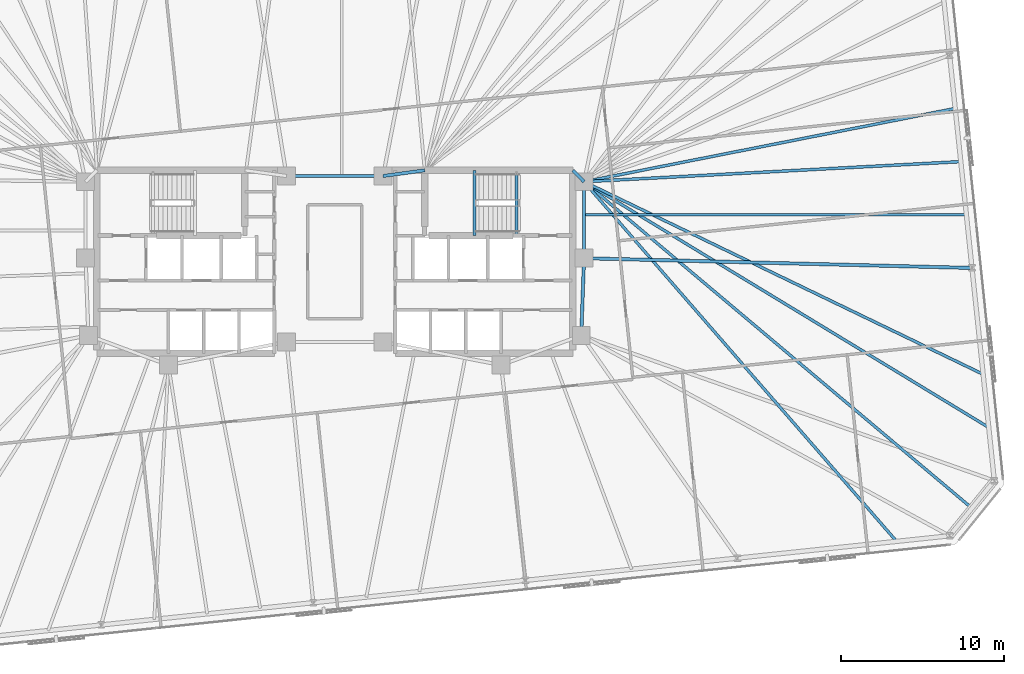
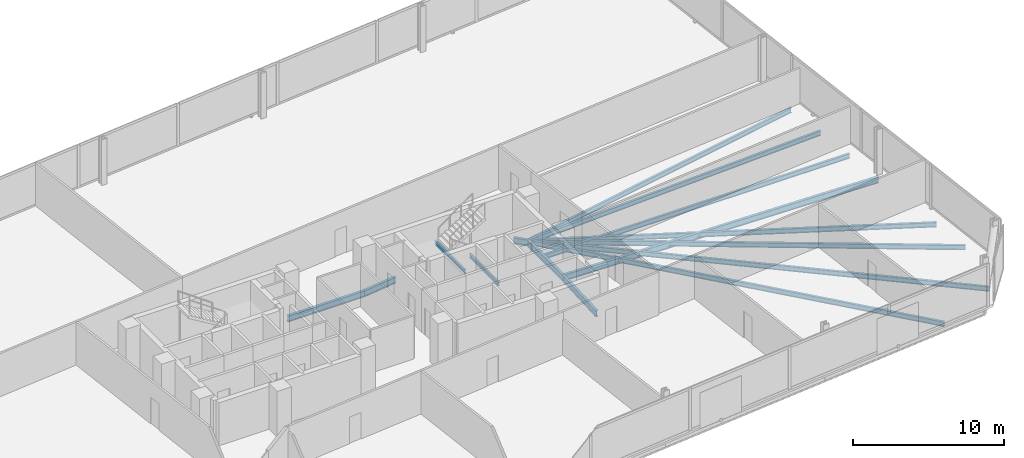
# One storey, part 8 of 18: 15 beams.
"""IFC4 building model written with IfcOpenShell, lengths in metres."""

import ifcopenshell
import ifcopenshell.guid

model = None  # the IFC model being written
_history = None  # IfcOwnerHistory: only IFC2X3 demands one
_inside = {}  # id of a spatial element -> (the spatial element, [elements in it])
_under = {}  # id of a project, library or spatial element -> (it, [spatial elements below it])
_declared = {}  # id of a project -> (the project, [libraries it declares])
_typed = {}  # id of a type object -> (the type object, [elements of that type])
_made_of = {}  # id of a material, layer set ... -> (it, [elements and type objects made of it])


def new_model(schema):
    """Start an empty IFC model of exactly this schema.

    Asked for "IFC4X3", IfcOpenShell would pick the latest addendum, in which some entities
    have other attributes; the version numbers below select the first issue.
    IFC2X3 requires an IfcOwnerHistory on every rooted entity: one is made here for all.
    """
    global model, _history
    if schema == "IFC4X3":
        model = ifcopenshell.file(schema_version=(4, 3, 0, 0))
    else:
        model = ifcopenshell.file(schema=schema)
    _inside.clear()
    _under.clear()
    _declared.clear()
    _typed.clear()
    _made_of.clear()
    _history = None
    if model.schema == "IFC2X3":
        org = make("IfcOrganization", Name="unknown")
        user = make(
            "IfcPersonAndOrganization",
            ThePerson=make("IfcPerson", FamilyName="unknown"),
            TheOrganization=org,
        )
        app = make(
            "IfcApplication",
            ApplicationDeveloper=org,
            Version="unknown",
            ApplicationFullName="unknown",
            ApplicationIdentifier="unknown",
        )
        _history = make(
            "IfcOwnerHistory",
            OwningUser=user,
            OwningApplication=app,
            ChangeAction="ADDED",
            CreationDate=0,
        )
    return model


def make(cls, **values):
    """One entity of the class cls with the attributes given. An attribute that is None is left unset."""
    return model.create_entity(
        cls, **{name: value for name, value in values.items() if value is not None}
    )


def rooted(cls, **values):
    """An entity with a GlobalId (a new one), such as an element, a storey or a relation."""
    return make(cls, GlobalId=ifcopenshell.guid.new(), OwnerHistory=_history, **values)


def si_unit(unit_type, name, prefix=None):
    """IfcSIUnit, for example si_unit("LENGTHUNIT", "METRE", prefix="MILLI")."""
    return make("IfcSIUnit", UnitType=unit_type, Prefix=prefix, Name=name)


def assignment(units):
    """IfcUnitAssignment: the units of a project."""
    return None if units is None else make("IfcUnitAssignment", Units=units)


def point(xyz):
    """IfcCartesianPoint."""
    return None if xyz is None else make("IfcCartesianPoint", Coordinates=xyz)


def direction(xyz):
    """IfcDirection."""
    return None if xyz is None else make("IfcDirection", DirectionRatios=xyz)


def frame(location, z_axis=None, x_axis=None):
    """IfcAxis2Placement3D, a coordinate frame: its origin and axes. An axis left out is left unset."""
    return make(
        "IfcAxis2Placement3D",
        Location=point(location),
        Axis=direction(z_axis),
        RefDirection=direction(x_axis),
    )


def frame_2d(location, x_axis=None):
    """IfcAxis2Placement2D, a coordinate frame in the plane: its origin and x axis."""
    return make(
        "IfcAxis2Placement2D", Location=point(location), RefDirection=direction(x_axis)
    )


def origin():
    """The frame at (0, 0, 0) with its axes left unset."""
    return frame((0.0, 0.0, 0.0))


def origin_2d():
    """The frame at (0, 0) in the plane with its x axis left unset."""
    return frame_2d((0.0, 0.0))


def place(relative_to, where):
    """IfcLocalPlacement: puts the frame where relative to a parent placement (None: the world)."""
    return make(
        "IfcLocalPlacement", PlacementRelTo=relative_to, RelativePlacement=where
    )


def context(
    kind, dimensions, precision=None, world=None, true_north=None, identifier=None
):
    """IfcGeometricRepresentationContext, for example the 3D "Model" context."""
    return make(
        "IfcGeometricRepresentationContext",
        ContextIdentifier=identifier,
        ContextType=kind,
        CoordinateSpaceDimension=dimensions,
        Precision=precision,
        WorldCoordinateSystem=world,
        TrueNorth=true_north,
    )


def subcontext(parent, identifier, kind, view, scale=None):
    """IfcGeometricRepresentationSubContext, for example "Body" below "Model"."""
    return make(
        "IfcGeometricRepresentationSubContext",
        ContextIdentifier=identifier,
        ContextType=kind,
        ParentContext=parent,
        TargetScale=scale,
        TargetView=view,
    )


def project(units=None, contexts=None):
    """IfcProject with its units and contexts."""
    return rooted(
        "IfcProject",
        Name="project",
        RepresentationContexts=contexts,
        UnitsInContext=assignment(units),
    )


def spatial(cls, under=None, at=None, **own):
    """A site, building, storey or space (cls), placed at a placement, below another one or the project."""
    s = rooted(cls, ObjectPlacement=at, **own)
    if under is not None:
        _under.setdefault(under.id(), (under, []))[1].append(s)
    return s


def profile(cls, at=None, kind="AREA", **sizes):
    """A parametric profile (cls). Its sizes go by their IFC names, for example OverallWidth=200.0."""
    return make(cls, ProfileType=kind, Position=at, **sizes)


def i_section(**sizes):
    """IfcIShapeProfileDef."""
    return profile("IfcIShapeProfileDef", **sizes)


def extrude(swept, where, along, depth):
    """IfcExtrudedAreaSolid: the profile swept, set in the frame where, extruded along a direction by depth."""
    return make(
        "IfcExtrudedAreaSolid",
        SweptArea=swept,
        Position=where,
        ExtrudedDirection=direction(along),
        Depth=depth,
    )


def shape(context_of_items, identifier, shape_type, items):
    """IfcShapeRepresentation: the items that make up one representation, for example the "Body"."""
    return make(
        "IfcShapeRepresentation",
        ContextOfItems=context_of_items,
        RepresentationIdentifier=identifier,
        RepresentationType=shape_type,
        Items=items,
    )


def material(Name=None, Category=None):
    """IfcMaterial."""
    return make("IfcMaterial", Name=Name, Category=Category)


def material_profile(
    of_material, cross_section, Name=None, Category=None, Priority=None
):
    """IfcMaterialProfile: a cross section and its material."""
    return make(
        "IfcMaterialProfile",
        Name=Name,
        Material=of_material,
        Profile=cross_section,
        Priority=Priority,
        Category=Category,
    )


def profile_set(profiles, Name=None, composite=None):
    """IfcMaterialProfileSet."""
    return make(
        "IfcMaterialProfileSet",
        Name=Name,
        MaterialProfiles=profiles,
        CompositeProfile=composite,
    )


def made_of(thing, what):
    """Note that an element or type object is made of a material, layer set ...; save() writes the relation."""
    if what is not None:
        _made_of.setdefault(what.id(), (what, []))[1].append(thing)
    return thing


def type_object(cls, material=None, **own):
    """A type object (cls), such as IfcWallType, which elements share."""
    return made_of(rooted(cls, **own), material)


def element(
    cls,
    number,
    at=None,
    inside=None,
    cuts=None,
    type_object=None,
    material=None,
    context=None,
    identifier="Body",
    shape_type=None,
    held_by="IfcProductDefinitionShape",
    body=None,
    shapes=None,
    **own,
):
    """One element of the class cls, such as IfcWall. Its Tag is "e" and its number.

    at: its placement. inside: the storey or other place that contains it. cuts: it is an
    opening in that element (IfcRelVoidsElement). A single representation is given by context,
    identifier, shape_type and body (its items); several are given by shapes. held_by: the class
    of the entity that holds the representations. save() writes the other relations.
    """
    e = rooted(cls, Tag="e%d" % number, ObjectPlacement=at, **own)
    if body is not None:
        shapes = [shape(context, identifier, shape_type, body)]
    if shapes is not None:
        e.Representation = make(held_by, Representations=shapes)
    if inside is not None:
        _inside.setdefault(inside.id(), (inside, []))[1].append(e)
    if cuts is not None:
        rooted(
            "IfcRelVoidsElement", RelatingBuildingElement=cuts, RelatedOpeningElement=e
        )
    if type_object is not None:
        _typed.setdefault(type_object.id(), (type_object, []))[1].append(e)
    return made_of(e, material)


def aggregate(whole, parts):
    """IfcRelAggregates: a whole, such as a stair, and the parts it consists of."""
    return rooted("IfcRelAggregates", RelatingObject=whole, RelatedObjects=parts)


def save(model, path):
    """Write the relations noted so far, then the file.

    IfcRelAggregates (storeys below a building ...), IfcRelContainedInSpatialStructure (elements
    in a storey), IfcRelDefinesByType, IfcRelAssociatesMaterial and IfcRelDeclares: one each for
    every whole, place, type object, material and project.
    """
    for whole, parts in _under.values():
        aggregate(whole, parts)
    for where, things in _inside.values():
        rooted(
            "IfcRelContainedInSpatialStructure",
            RelatedElements=things,
            RelatingStructure=where,
        )
    for kind, things in _typed.values():
        rooted("IfcRelDefinesByType", RelatedObjects=things, RelatingType=kind)
    for what, things in _made_of.values():
        rooted("IfcRelAssociatesMaterial", RelatedObjects=things, RelatingMaterial=what)
    for by, libraries in _declared.values():
        rooted("IfcRelDeclares", RelatingContext=by, RelatedDefinitions=libraries)
    model.write(path)


model = new_model("IFC4")

# Units and contexts
model_context = context("Model", 3, precision=1e-05, world=origin(), true_north=direction((0.0, 1.0)))
body_context = subcontext(model_context, "Body", "Model", "MODEL_VIEW")
ifc_project = project(units=[si_unit("LENGTHUNIT", "METRE"), si_unit("AREAUNIT", "SQUARE_METRE"), si_unit("VOLUMEUNIT", "CUBIC_METRE"), si_unit("PLANEANGLEUNIT", "RADIAN"), si_unit("MASSUNIT", "GRAM", prefix="KILO")], contexts=[model_context])

# Site, building, storey
site_placement = place(None, origin())
site = spatial("IfcSite", under=ifc_project, at=site_placement, CompositionType="ELEMENT")
building_placement = place(site_placement, origin())
building = spatial("IfcBuilding", under=site, at=building_placement, Name="Menara Jurai Vektor", CompositionType="ELEMENT")
storey_placement = place(building_placement, frame((0.0, 0.0, 102.199951171875)))
storey = spatial("IfcBuildingStorey", under=building, at=storey_placement, Name="L25", CompositionType="ELEMENT", Elevation=102.199951171875)

# Beams
ifc_material = material(Name="Steel S355", Category="steel")
ifc_material_profile_1 = material_profile(ifc_material, i_section(OverallWidth=0.199951171875, OverallDepth=0.5, WebThickness=0.011962890625, FlangeThickness=0.02001953125, at=origin_2d()), Name="PG 500x200x96")
ifc_profile_set_1 = profile_set([ifc_material_profile_1], Name="Steel S355")
beam_type_1 = type_object("IfcBeamType", Name="STR-BM-500", PredefinedType="BEAM", material=ifc_profile_set_1)
beam_1_placement = place(storey_placement, frame((2.949951171875, 5.25, -0.474853515625), z_axis=(0.990706818608, 0.136014703483, 0.0), x_axis=(-0.136014703483, 0.990706818608, 0.0)))
element("IfcBeam", 1, at=beam_1_placement, inside=storey, type_object=beam_type_1, Name="Core Ring Header Girder L25-CHE-N1", PredefinedType="BEAM", context=body_context, shape_type="SweptSolid", body=[
    extrude(i_section(OverallWidth=0.199951171875, OverallDepth=0.5, WebThickness=0.011962890625, FlangeThickness=0.02001953125, at=origin_2d()), origin(), (0.0, 0.0, 1.0), 2.573974609375),
])
beam_2_placement = place(storey_placement, frame((14.56005859375, 5.60009765625, -0.474853515625), z_axis=(0.701871936926, -0.712303154672, 0.0), x_axis=(0.712303154672, 0.701871936926, 0.0)))
element("IfcBeam", 2, at=beam_2_placement, inside=storey, type_object=beam_type_1, Name="Core Ring Header Girder L25-CHE-N2", PredefinedType="BEAM", context=body_context, shape_type="SweptSolid", body=[
    extrude(i_section(OverallWidth=0.199951171875, OverallDepth=0.5, WebThickness=0.011962890625, FlangeThickness=0.02001953125, at=origin_2d()), origin(), (0.0, 0.0, 1.0), 0.98291015625),
])
beam_3_placement = place(storey_placement, frame((15.25, 0.219970703125, -0.474853515625), z_axis=(0.0, 1.0, 0.0), x_axis=(-1.0, 0.0, 0.0)))
element("IfcBeam", 3, at=beam_3_placement, inside=storey, type_object=beam_type_1, Name="Core Ring Header Girder L25-CHE-E1", PredefinedType="BEAM", context=body_context, shape_type="SweptSolid", body=[
    extrude(i_section(OverallWidth=0.199951171875, OverallDepth=0.5, WebThickness=0.011962890625, FlangeThickness=0.02001953125, at=origin_2d()), origin(), (0.0, 0.0, 1.0), 4.679931640625),
])
beam_4_placement = place(storey_placement, frame((15.080078125, -4.5, -0.474853515625), z_axis=(0.035977314146, 0.999352606874, 0.0), x_axis=(-0.999352606874, 0.035977314146, 0.0)))
element("IfcBeam", 4, at=beam_4_placement, inside=storey, type_object=beam_type_1, Name="Core Ring Header Girder L25-CHE-E2", PredefinedType="BEAM", context=body_context, shape_type="SweptSolid", body=[
    extrude(i_section(OverallWidth=0.199951171875, OverallDepth=0.5, WebThickness=0.011962890625, FlangeThickness=0.02001953125, at=origin_2d()), origin(), (0.0, 0.0, 1.0), 4.72314453125),
])
beam_5_placement = place(storey_placement, frame((-2.949951171875, 5.25, -0.474853515625), z_axis=(1.0, 0.0, 0.0), x_axis=(0.0, 1.0, 0.0)))
element("IfcBeam", 5, at=beam_5_placement, inside=storey, type_object=beam_type_1, Name="Core Ring Header Girder L25-CC-2", PredefinedType="BEAM", context=body_context, shape_type="SweptSolid", body=[
    extrude(i_section(OverallWidth=0.199951171875, OverallDepth=0.5, WebThickness=0.011962890625, FlangeThickness=0.02001953125, at=origin_2d()), origin(), (0.0, 0.0, 1.0), 5.89990234375),
])
beam_6_placement = place(storey_placement, frame((38.98828125, -0.375, -0.474853515625), z_axis=(-0.999686051749, 0.02505589629, 0.0), x_axis=(-0.02505589629, -0.999686051749, 0.0)))
element("IfcBeam", 6, at=beam_6_placement, inside=storey, type_object=beam_type_1, Name="Radial Floor Girder L25-E2", PredefinedType="BEAM", context=body_context, shape_type="SweptSolid", body=[
    extrude(i_section(OverallWidth=0.199951171875, OverallDepth=0.5, WebThickness=0.011962890625, FlangeThickness=0.02001953125, at=origin_2d()), origin(), (0.0, 0.0, 1.0), 23.745849609375),
])
ifc_material_profile_2 = material_profile(ifc_material, i_section(OverallWidth=0.175048828125, OverallDepth=0.3798828125, WebThickness=0.010009765625, FlangeThickness=0.014892578125, at=origin_2d()), Name="PG 380x175x58")
ifc_profile_set_2 = profile_set([ifc_material_profile_2], Name="Steel S355")
beam_type_2 = type_object("IfcBeamType", Name="STR-JS-380", PredefinedType="JOIST", material=ifc_profile_set_2)
beam_7_placement = place(storey_placement, frame((34.376953125, -17.106201171875, -0.4150390625), z_axis=(-0.656007047389, 0.754754763996, 0.0), x_axis=(-0.754754763996, -0.656007047389, 0.0)))
element("IfcBeam", 7, at=beam_7_placement, inside=storey, type_object=beam_type_2, Name="Radial Secondary Floor Joist L25-JS09", PredefinedType="JOIST", context=body_context, shape_type="SweptSolid", body=[
    extrude(i_section(OverallWidth=0.175048828125, OverallDepth=0.3798828125, WebThickness=0.010009765625, FlangeThickness=0.014892578125, at=origin_2d()), origin(), (0.0, 0.0, 1.0), 29.15673828125),
])
beam_8_placement = place(storey_placement, frame((38.989013671875, -15.076904296875, -0.4150390625), z_axis=(-0.765132553444, 0.643872794627, 0.0), x_axis=(-0.643872794627, -0.765132553444, 0.0)))
element("IfcBeam", 8, at=beam_8_placement, inside=storey, type_object=beam_type_2, Name="Radial Secondary Floor Joist L25-JS10", PredefinedType="JOIST", context=body_context, shape_type="SweptSolid", body=[
    extrude(i_section(OverallWidth=0.175048828125, OverallDepth=0.3798828125, WebThickness=0.010009765625, FlangeThickness=0.014892578125, at=origin_2d()), origin(), (0.0, 0.0, 1.0), 31.026123046875),
])
beam_9_placement = place(storey_placement, frame((40.01416015625, -10.13525390625, -0.4150390625), z_axis=(-0.854790986557, 0.518972416706, 0.0), x_axis=(-0.518972416706, -0.854790986557, 0.0)))
element("IfcBeam", 9, at=beam_9_placement, inside=storey, type_object=beam_type_2, Name="Radial Secondary Floor Joist L25-JS11", PredefinedType="JOIST", context=body_context, shape_type="SweptSolid", body=[
    extrude(i_section(OverallWidth=0.175048828125, OverallDepth=0.3798828125, WebThickness=0.010009765625, FlangeThickness=0.014892578125, at=origin_2d()), origin(), (0.0, 0.0, 1.0), 28.970947265625),
])
beam_10_placement = place(storey_placement, frame((39.672119140625, -6.8818359375, -0.4150390625), z_axis=(-0.90067072624, 0.434502293312, 0.0), x_axis=(-0.434502293312, -0.90067072624, 0.0)))
element("IfcBeam", 10, at=beam_10_placement, inside=storey, type_object=beam_type_2, Name="Radial Secondary Floor Joist L25-JS12", PredefinedType="JOIST", context=body_context, shape_type="SweptSolid", body=[
    extrude(i_section(OverallWidth=0.175048828125, OverallDepth=0.3798828125, WebThickness=0.010009765625, FlangeThickness=0.014892578125, at=origin_2d()), origin(), (0.0, 0.0, 1.0), 27.115478515625),
])
beam_11_placement = place(storey_placement, frame((38.646484375, 2.87841796875, -0.4150390625), z_axis=(-1.0, 0.0, 0.0), x_axis=(0.0, -1.0, 0.0)))
element("IfcBeam", 11, at=beam_11_placement, inside=storey, type_object=beam_type_2, Name="Radial Secondary Floor Joist L25-JS13", PredefinedType="JOIST", context=body_context, shape_type="SweptSolid", body=[
    extrude(i_section(OverallWidth=0.175048828125, OverallDepth=0.3798828125, WebThickness=0.010009765625, FlangeThickness=0.014892578125, at=origin_2d()), origin(), (0.0, 0.0, 1.0), 23.396484375),
])
beam_12_placement = place(storey_placement, frame((38.304443359375, 6.131591796875, -0.4150390625), z_axis=(-0.998575919005, -0.053349170414, 0.0), x_axis=(0.053349170414, -0.998575919005, 0.0)))
element("IfcBeam", 12, at=beam_12_placement, inside=storey, type_object=beam_type_2, Name="Radial Secondary Floor Joist L25-JS14", PredefinedType="JOIST", context=body_context, shape_type="SweptSolid", body=[
    extrude(i_section(OverallWidth=0.175048828125, OverallDepth=0.3798828125, WebThickness=0.010009765625, FlangeThickness=0.014892578125, at=origin_2d()), origin(), (0.0, 0.0, 1.0), 23.08740234375),
])
beam_13_placement = place(storey_placement, frame((37.96240234375, 9.385009765625, -0.4150390625), z_axis=(-0.981054359007, -0.193732662897, 0.0), x_axis=(0.193732662897, -0.981054359007, 0.0)))
element("IfcBeam", 13, at=beam_13_placement, inside=storey, type_object=beam_type_2, Name="Radial Secondary Floor Joist L25-JS15", PredefinedType="JOIST", context=body_context, shape_type="SweptSolid", body=[
    extrude(i_section(OverallWidth=0.175048828125, OverallDepth=0.3798828125, WebThickness=0.010009765625, FlangeThickness=0.014892578125, at=origin_2d()), origin(), (0.0, 0.0, 1.0), 23.151123046875),
])
ifc_material_profile_3 = material_profile(ifc_material, i_section(OverallWidth=0.1650390625, OverallDepth=0.302978515625, WebThickness=0.006103515625, FlangeThickness=0.010009765625, FilletRadius=0.009033203125, at=origin_2d()), Name="UKB 305x165x40")
ifc_profile_set_3 = profile_set([ifc_material_profile_3], Name="Steel S355")
beam_type_3 = type_object("IfcBeamType", Name="STR-LN-305", PredefinedType="LINTEL", material=ifc_profile_set_3)
beam_14_placement = place(storey_placement, frame((11.1201171875, 1.60009765625, -0.37646484375), z_axis=(0.0, 1.0, 0.0), x_axis=(-1.0, 0.0, 0.0)))
element("IfcBeam", 14, at=beam_14_placement, inside=storey, type_object=beam_type_3, Name="Stair Well Floor Trimmer ST2 L25", PredefinedType="LINTEL", context=body_context, shape_type="SweptSolid", body=[
    extrude(i_section(OverallWidth=0.1650390625, OverallDepth=0.302978515625, WebThickness=0.006103515625, FlangeThickness=0.010009765625, FilletRadius=0.009033203125, at=origin_2d()), origin(), (0.0, 0.0, 1.0), 3.81982421875),
])
beam_15_placement = place(storey_placement, frame((8.550048828125, 1.60009765625, 1.49853515625), z_axis=(0.0, 1.0, 0.0), x_axis=(-1.0, 0.0, 0.0)))
element("IfcBeam", 15, at=beam_15_placement, inside=storey, type_object=beam_type_3, Name="Stair Half-Landing Nosing Trimmer ST2-1 L25", PredefinedType="LINTEL", context=body_context, shape_type="SweptSolid", body=[
    extrude(i_section(OverallWidth=0.1650390625, OverallDepth=0.302978515625, WebThickness=0.006103515625, FlangeThickness=0.010009765625, FilletRadius=0.009033203125, at=origin_2d()), origin(), (0.0, 0.0, 1.0), 4.0),
])

save(model, "model.ifc")
